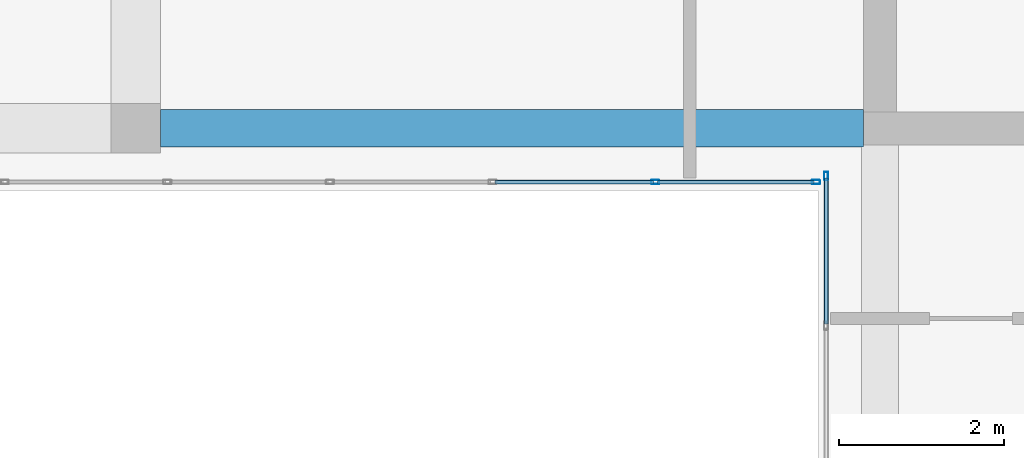
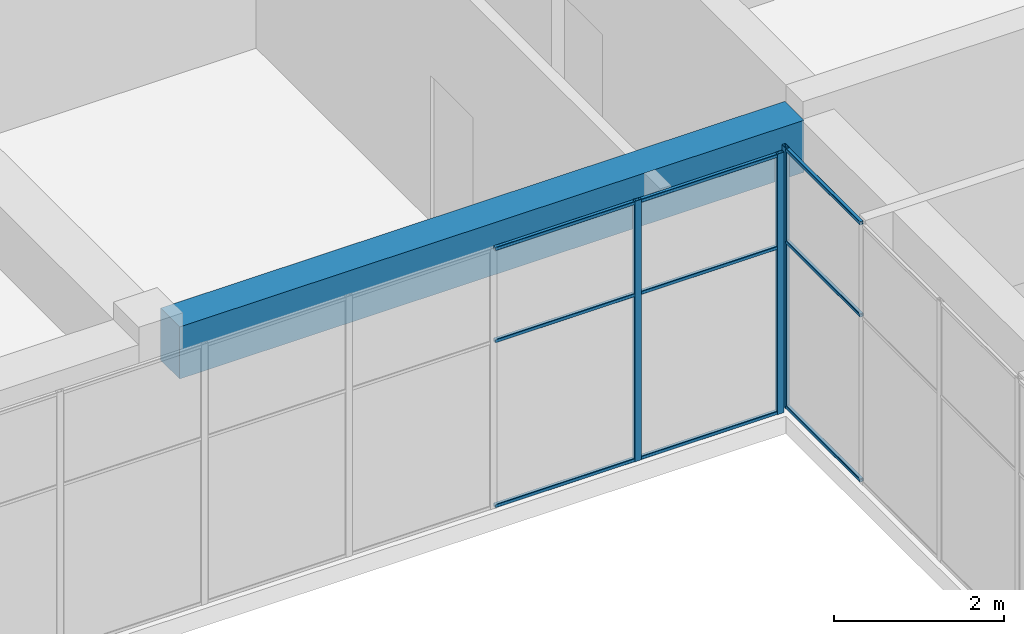
# One storey, part 5 of 35: 12 members, 1 beam, 2 elements without a shape of their own.
"""IFC4 building model written with IfcOpenShell, lengths in metres."""

from ifc_helpers import new_model, si_unit, direction, frame, origin, origin_2d, place, context, subcontext, project, spatial, rectangle, hollow_rectangle, extrude, material, layer, layer_set, material_profile, profile_set, type_object, element, aggregate, save


model = new_model("IFC4")

# Units and contexts
model_context = context("Model", 3, precision=1e-05, world=origin(), true_north=direction((0.0, 1.0)))
body_context = subcontext(model_context, "Body", "Model", "MODEL_VIEW")
ifc_project = project(units=[si_unit("LENGTHUNIT", "METRE"), si_unit("AREAUNIT", "SQUARE_METRE"), si_unit("VOLUMEUNIT", "CUBIC_METRE"), si_unit("PLANEANGLEUNIT", "RADIAN"), si_unit("MASSUNIT", "GRAM", prefix="KILO")], contexts=[model_context])

# Site, building, storey
site_placement = place(None, origin())
site = spatial("IfcSite", under=ifc_project, at=site_placement, CompositionType="ELEMENT")
building_placement = place(site_placement, origin())
building = spatial("IfcBuilding", under=site, at=building_placement, Name="Tuart Plaza Theatre", CompositionType="ELEMENT")
storey_placement = place(building_placement, frame((0.0, 0.0, 45.5)))
storey = spatial("IfcBuildingStorey", under=building, at=storey_placement, Name="L11", CompositionType="ELEMENT", Elevation=45.5)

# Beam
ifc_material_1 = material(Name="Concrete N40 (40 MPa)", Category="concrete")
ifc_material_profile_1 = material_profile(ifc_material_1, rectangle(XDim=0.449951171875, YDim=0.75, at=origin_2d()), Name="BEAM 450x750 Concrete N40 (40 MPa)")
ifc_profile_set_1 = profile_set([ifc_material_profile_1], Name="Concrete N40 (40 MPa)")
beam_type = type_object("IfcBeamType", Name="BEAM 450x750 Concrete N40 (40 MPa)", PredefinedType="BEAM", material=ifc_profile_set_1)
beam_placement = place(storey_placement, frame((114.300048828125, 65.0, 3.375), z_axis=(1.0, 0.0, 0.0), x_axis=(0.0, 1.0, 0.0)))
element("IfcBeam", 1, at=beam_placement, inside=storey, type_object=beam_type, Name="RB290", PredefinedType="BEAM", context=body_context, shape_type="SweptSolid", body=[
    extrude(rectangle(XDim=0.449951171875, YDim=0.75, at=origin_2d()), origin(), (0.0, 0.0, 1.0), 8.5),
])

# Curtain wall, members
ifc_material_2 = material(Name="Aluminium and glass", Category="aluminium")
ifc_layer = layer(ifc_material_2, 0.10009765625)
ifc_layer_set = layer_set([ifc_layer], Name="CURTAIN WALL 2000 module")
curtain_wall_type = type_object("IfcCurtainWallType", Name="CURTAIN WALL 2000 module", PredefinedType="NOTDEFINED", material=ifc_layer_set)
curtain_wall_1_placement = place(storey_placement, origin())
curtain_wall_1 = element("IfcCurtainWall", 2, at=curtain_wall_1_placement, inside=storey, type_object=curtain_wall_type, Name="CW108", PredefinedType="NOTDEFINED")
ifc_material_3 = material(Name="Aluminium 6063-T5", Category="aluminium")
ifc_material_profile_2 = material_profile(ifc_material_3, hollow_rectangle(XDim=0.050048828125, YDim=0.10009765625, WallThickness=0.00390625, InnerFilletRadius=0.00390625, OuterFilletRadius=0.008056640625, at=origin_2d()), Name="RHS 100x50x4")
ifc_profile_set_2 = profile_set([ifc_material_profile_2], Name="Aluminium 6063-T5")
member_type_1 = type_object("IfcMemberType", Name="MULLION RHS 100x50x4", PredefinedType="MULLION", material=ifc_profile_set_2)
member_1_placement = place(storey_placement, frame((120.283447265625, 64.35009765625, 0.0), z_axis=(0.0, 0.0, 1.0), x_axis=(0.0, 1.0, 0.0)))
member_1 = element("IfcMember", 3, at=member_1_placement, type_object=member_type_1, Name="CW108 mullion 6", PredefinedType="MULLION", context=body_context, shape_type="SweptSolid", body=[
    extrude(hollow_rectangle(XDim=0.050048828125, YDim=0.10009765625, WallThickness=0.00390625, InnerFilletRadius=0.00390625, OuterFilletRadius=0.008056640625, at=origin_2d()), origin(), (0.0, 0.0, 1.0), 3.75),
])
member_2_placement = place(storey_placement, frame((122.22509765625, 64.35009765625, 0.0), z_axis=(0.0, 0.0, 1.0), x_axis=(0.0, 1.0, 0.0)))
member_2 = element("IfcMember", 4, at=member_2_placement, type_object=member_type_1, Name="CW108 mullion 7", PredefinedType="MULLION", context=body_context, shape_type="SweptSolid", body=[
    extrude(hollow_rectangle(XDim=0.050048828125, YDim=0.10009765625, WallThickness=0.00390625, InnerFilletRadius=0.00390625, OuterFilletRadius=0.008056640625, at=origin_2d()), origin(), (0.0, 0.0, 1.0), 3.75),
])

# Curtain wall, member
curtain_wall_2_placement = place(storey_placement, origin())
curtain_wall_2 = element("IfcCurtainWall", 5, at=curtain_wall_2_placement, inside=storey, type_object=curtain_wall_type, Name="CW110", PredefinedType="NOTDEFINED")
member_3_placement = place(storey_placement, frame((122.35009765625, 64.425048828125, 0.0), z_axis=(0.0, 0.0, 1.0), x_axis=(1.0, 0.0, 0.0)))
member_3 = element("IfcMember", 6, at=member_3_placement, type_object=member_type_1, Name="CW110 mullion 1", PredefinedType="MULLION", context=body_context, shape_type="SweptSolid", body=[
    extrude(hollow_rectangle(XDim=0.050048828125, YDim=0.10009765625, WallThickness=0.00390625, InnerFilletRadius=0.00390625, OuterFilletRadius=0.008056640625, at=origin_2d()), origin(), (0.0, 0.0, 1.0), 3.75),
])

# Member
ifc_material_4 = material(Name="Aluminium 6063-T5", Category="aluminium")
ifc_material_profile_3 = material_profile(ifc_material_4, hollow_rectangle(XDim=0.050048828125, YDim=0.050048828125, WallThickness=0.00390625, InnerFilletRadius=0.00390625, OuterFilletRadius=0.008056640625, at=origin_2d()), Name="RHS 50x50x4")
ifc_profile_set_3 = profile_set([ifc_material_profile_3], Name="Aluminium 6063-T5")
member_type_2 = type_object("IfcMemberType", Name="TRANSOM RHS 50x50x4", PredefinedType="USERDEFINED", material=ifc_profile_set_3)
member_4_placement = place(storey_placement, frame((118.341552734375, 64.35009765625, 0.02490234375), z_axis=(1.0, 0.0, 0.0), x_axis=(0.0, 1.0, 0.0)))
member_4 = element("IfcMember", 7, at=member_4_placement, type_object=member_type_2, Name="CW108 transom 5.1", ObjectType="TRANSOM", PredefinedType="USERDEFINED", context=body_context, shape_type="SweptSolid", body=[
    extrude(hollow_rectangle(XDim=0.050048828125, YDim=0.050048828125, WallThickness=0.00390625, InnerFilletRadius=0.00390625, OuterFilletRadius=0.008056640625, at=origin_2d()), origin(), (0.0, 0.0, 1.0), 1.916748046875),
])

member_5_placement = place(storey_placement, frame((118.341552734375, 64.35009765625, 2.39990234375), z_axis=(1.0, 0.0, 0.0), x_axis=(0.0, 1.0, 0.0)))
member_5 = element("IfcMember", 8, at=member_5_placement, type_object=member_type_2, Name="CW108 transom 5.2", ObjectType="TRANSOM", PredefinedType="USERDEFINED", context=body_context, shape_type="SweptSolid", body=[
    extrude(hollow_rectangle(XDim=0.050048828125, YDim=0.050048828125, WallThickness=0.00390625, InnerFilletRadius=0.00390625, OuterFilletRadius=0.008056640625, at=origin_2d()), origin(), (0.0, 0.0, 1.0), 1.916748046875),
])

member_6_placement = place(storey_placement, frame((118.341552734375, 64.35009765625, 3.72509765625), z_axis=(1.0, 0.0, 0.0), x_axis=(0.0, 1.0, 0.0)))
member_6 = element("IfcMember", 9, at=member_6_placement, type_object=member_type_2, Name="CW108 transom 5.3", ObjectType="TRANSOM", PredefinedType="USERDEFINED", context=body_context, shape_type="SweptSolid", body=[
    extrude(hollow_rectangle(XDim=0.050048828125, YDim=0.050048828125, WallThickness=0.00390625, InnerFilletRadius=0.00390625, OuterFilletRadius=0.008056640625, at=origin_2d()), origin(), (0.0, 0.0, 1.0), 1.916748046875),
])

member_7_placement = place(storey_placement, frame((120.308349609375, 64.35009765625, 0.02490234375), z_axis=(1.0, 0.0, 0.0), x_axis=(0.0, 1.0, 0.0)))
member_7 = element("IfcMember", 10, at=member_7_placement, type_object=member_type_2, Name="CW108 transom 6.1", ObjectType="TRANSOM", PredefinedType="USERDEFINED", context=body_context, shape_type="SweptSolid", body=[
    extrude(hollow_rectangle(XDim=0.050048828125, YDim=0.050048828125, WallThickness=0.00390625, InnerFilletRadius=0.00390625, OuterFilletRadius=0.008056640625, at=origin_2d()), origin(), (0.0, 0.0, 1.0), 1.8916015625),
])

member_8_placement = place(storey_placement, frame((120.308349609375, 64.35009765625, 2.39990234375), z_axis=(1.0, 0.0, 0.0), x_axis=(0.0, 1.0, 0.0)))
member_8 = element("IfcMember", 11, at=member_8_placement, type_object=member_type_2, Name="CW108 transom 6.2", ObjectType="TRANSOM", PredefinedType="USERDEFINED", context=body_context, shape_type="SweptSolid", body=[
    extrude(hollow_rectangle(XDim=0.050048828125, YDim=0.050048828125, WallThickness=0.00390625, InnerFilletRadius=0.00390625, OuterFilletRadius=0.008056640625, at=origin_2d()), origin(), (0.0, 0.0, 1.0), 1.8916015625),
])

member_9_placement = place(storey_placement, frame((120.308349609375, 64.35009765625, 3.72509765625), z_axis=(1.0, 0.0, 0.0), x_axis=(0.0, 1.0, 0.0)))
member_9 = element("IfcMember", 12, at=member_9_placement, type_object=member_type_2, Name="CW108 transom 6.3", ObjectType="TRANSOM", PredefinedType="USERDEFINED", context=body_context, shape_type="SweptSolid", body=[
    extrude(hollow_rectangle(XDim=0.050048828125, YDim=0.050048828125, WallThickness=0.00390625, InnerFilletRadius=0.00390625, OuterFilletRadius=0.008056640625, at=origin_2d()), origin(), (0.0, 0.0, 1.0), 1.8916015625),
])

aggregate(curtain_wall_1, [member_1, member_2, member_4, member_5, member_6, member_7, member_8, member_9])

member_10_placement = place(storey_placement, frame((122.35009765625, 64.39990234375, 0.02490234375), z_axis=(0.0, -1.0, 0.0), x_axis=(1.0, 0.0, 0.0)))
member_10 = element("IfcMember", 13, at=member_10_placement, type_object=member_type_2, Name="CW110 transom 1.1", ObjectType="TRANSOM", PredefinedType="USERDEFINED", context=body_context, shape_type="SweptSolid", body=[
    extrude(hollow_rectangle(XDim=0.050048828125, YDim=0.050048828125, WallThickness=0.00390625, InnerFilletRadius=0.00390625, OuterFilletRadius=0.008056640625, at=origin_2d()), origin(), (0.0, 0.0, 1.0), 1.764892578125),
])

member_11_placement = place(storey_placement, frame((122.35009765625, 64.39990234375, 2.39990234375), z_axis=(0.0, -1.0, 0.0), x_axis=(1.0, 0.0, 0.0)))
member_11 = element("IfcMember", 14, at=member_11_placement, type_object=member_type_2, Name="CW110 transom 1.2", ObjectType="TRANSOM", PredefinedType="USERDEFINED", context=body_context, shape_type="SweptSolid", body=[
    extrude(hollow_rectangle(XDim=0.050048828125, YDim=0.050048828125, WallThickness=0.00390625, InnerFilletRadius=0.00390625, OuterFilletRadius=0.008056640625, at=origin_2d()), origin(), (0.0, 0.0, 1.0), 1.764892578125),
])

member_12_placement = place(storey_placement, frame((122.35009765625, 64.39990234375, 3.72509765625), z_axis=(0.0, -1.0, 0.0), x_axis=(1.0, 0.0, 0.0)))
member_12 = element("IfcMember", 15, at=member_12_placement, type_object=member_type_2, Name="CW110 transom 1.3", ObjectType="TRANSOM", PredefinedType="USERDEFINED", context=body_context, shape_type="SweptSolid", body=[
    extrude(hollow_rectangle(XDim=0.050048828125, YDim=0.050048828125, WallThickness=0.00390625, InnerFilletRadius=0.00390625, OuterFilletRadius=0.008056640625, at=origin_2d()), origin(), (0.0, 0.0, 1.0), 1.764892578125),
])

aggregate(curtain_wall_2, [member_3, member_10, member_11, member_12])

save(model, "model.ifc")
